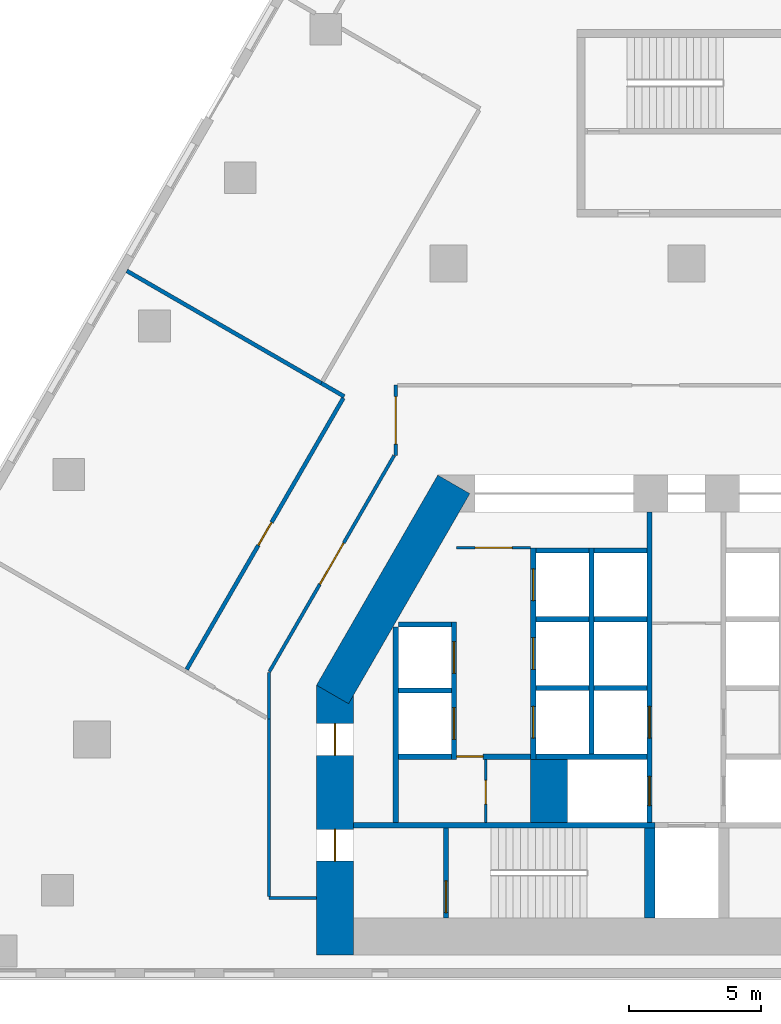
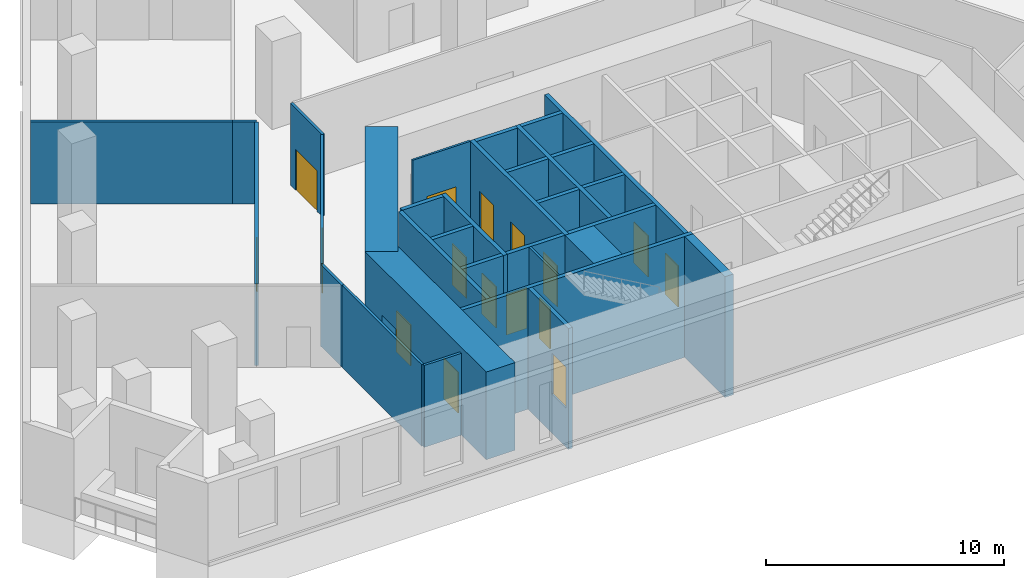
# One storey, part 3 of 13: 32 walls, 16 doors, 16 openings.
"""IFC4 building model written with IfcOpenShell, lengths in metres."""

from ifc_helpers import new_model, si_unit, direction, frame, frame_2d, origin, place, context, subcontext, project, spatial, rectangle, extrude, material, layer, layer_set, type_object, element, fill, save


model = new_model("IFC4")

# Units and contexts
model_context = context("Model", 3, precision=1e-05, world=origin(), true_north=direction((0.0, 1.0)))
body_context = subcontext(model_context, "Body", "Model", "MODEL_VIEW")
ifc_project = project(units=[si_unit("LENGTHUNIT", "METRE"), si_unit("AREAUNIT", "SQUARE_METRE"), si_unit("VOLUMEUNIT", "CUBIC_METRE"), si_unit("PLANEANGLEUNIT", "RADIAN"), si_unit("MASSUNIT", "GRAM", prefix="KILO")], contexts=[model_context])

# Site, building, storey
site_placement = place(None, origin())
site = spatial("IfcSite", under=ifc_project, at=site_placement, CompositionType="ELEMENT")
building_placement = place(site_placement, origin())
building = spatial("IfcBuilding", under=site, at=building_placement, Name="Fogline Exchange Tower", CompositionType="ELEMENT")
storey_placement = place(building_placement, frame((0.0, 0.0, 25.0)))
storey = spatial("IfcBuildingStorey", under=building, at=storey_placement, Name="L04", CompositionType="ELEMENT", Elevation=25.0)

# Wall, opening, door
ifc_material_1 = material(Name="Blockwork partition", Category="masonry")
ifc_layer_1 = layer(ifc_material_1, 0.10009765625)
ifc_layer_set_1 = layer_set([ifc_layer_1], Name="CW10")
wall_type_1 = type_object("IfcWallType", Name="CW10", PredefinedType="PARTITIONING", material=ifc_layer_set_1)
wall_1_placement = place(storey_placement, frame((-8.699951171875, 16.25, 0.0), z_axis=(0.0, 0.0, 1.0), x_axis=(1.0, 0.0, 0.0)))
wall_1 = element("IfcWall", 1, at=wall_1_placement, inside=storey, type_object=wall_type_1, Name="Lift lobby partition", PredefinedType="PARTITIONING", context=body_context, shape_type="SweptSolid", body=[
    extrude(rectangle(XDim=2.800048828125, YDim=0.10009765625, at=frame_2d((1.39990234375, 0.0))), origin(), (0.0, 0.0, 1.0), 4.199951171875),
])
opening_1_placement = place(wall_1_placement, frame((0.699951171875, 0.0, 0.0)))
opening_1 = element("IfcOpeningElement", 2, at=opening_1_placement, cuts=wall_1, Name="Opening T00-C007", PredefinedType="OPENING", context=body_context, shape_type="SweptSolid", body=[
    extrude(rectangle(XDim=1.39990234375, YDim=2.10009765625, at=frame_2d((0.699951171875, 1.050048828125))), frame((0.0, 0.06005859375, 0.0), z_axis=(0.0, -1.0, 0.0), x_axis=(1.0, 0.0, 0.0)), (0.0, 0.0, 1.0), 0.1201171875),
])
ifc_material_2 = material(Name="Steel and timber fire door", Category="steel")
door_type_1 = type_object("IfcDoorType", Name="D-LB1", OperationType="DOUBLE_DOOR_SINGLE_SWING", PredefinedType="DOOR", material=ifc_material_2)
door_1_placement = place(opening_1_placement, origin())
door_1 = element("IfcDoor", 3, at=door_1_placement, inside=storey, type_object=door_type_1, Name="Door to lift lobby", OperationType="DOUBLE_DOOR_SINGLE_SWING", OverallHeight=2.10009765625, OverallWidth=1.39990234375, PredefinedType="DOOR", context=body_context, shape_type="SweptSolid", body=[
    extrude(rectangle(XDim=1.39990234375, YDim=2.10009765625, at=frame_2d((0.699951171875, 1.050048828125))), frame((0.0, 0.02490234375, 0.0), z_axis=(0.0, -1.0, 0.0), x_axis=(1.0, 0.0, 0.0)), (0.0, 0.0, 1.0), 0.050048828125),
])
fill(opening_1, door_1)

wall_2_placement = place(storey_placement, frame((-7.60009765625, 5.85009765625, 0.0), z_axis=(0.0, 0.0, 1.0), x_axis=(0.0, 1.0, 0.0)))
wall_2 = element("IfcWall", 4, at=wall_2_placement, inside=storey, type_object=wall_type_1, Name="WC partition", PredefinedType="PARTITIONING", context=body_context, shape_type="SweptSolid", body=[
    extrude(rectangle(XDim=2.39990234375, YDim=0.10009765625, at=frame_2d((1.199951171875, 0.0))), origin(), (0.0, 0.0, 1.0), 4.199951171875),
])
opening_2_placement = place(wall_2_placement, frame((0.699951171875, 0.0, 0.0)))
opening_2 = element("IfcOpeningElement", 5, at=opening_2_placement, cuts=wall_2, Name="Opening T00-C009", PredefinedType="OPENING", context=body_context, shape_type="SweptSolid", body=[
    extrude(rectangle(XDim=0.89990234375, YDim=2.10009765625, at=frame_2d((0.449951171875, 1.050048828125))), frame((0.0, 0.06005859375, 0.0), z_axis=(0.0, -1.0, 0.0), x_axis=(1.0, 0.0, 0.0)), (0.0, 0.0, 1.0), 0.1201171875),
])
door_type_2 = type_object("IfcDoorType", Name="D-CS1", OperationType="SINGLE_SWING_RIGHT", PredefinedType="DOOR", material=ifc_material_2)
door_2_placement = place(opening_2_placement, frame((0.89990234375, 0.0, 0.0), z_axis=(0.0, 0.0, 1.0), x_axis=(-1.0, 0.0, 0.0)))
door_2 = element("IfcDoor", 6, at=door_2_placement, inside=storey, type_object=door_type_2, Name="Door to Cleaner's Store", OperationType="SINGLE_SWING_RIGHT", OverallHeight=2.10009765625, OverallWidth=0.89990234375, PredefinedType="DOOR", context=body_context, shape_type="SweptSolid", body=[
    extrude(rectangle(XDim=0.89990234375, YDim=2.10009765625, at=frame_2d((0.449951171875, 1.050048828125))), frame((0.0, 0.02490234375, 0.0), z_axis=(0.0, -1.0, 0.0), x_axis=(1.0, 0.0, 0.0)), (0.0, 0.0, 1.0), 0.050048828125),
])
fill(opening_2, door_2)

# Walls
ifc_material_3 = material(Name="Concrete C60", Category="concrete")
ifc_layer_2 = layer(ifc_material_3, 1.39990234375)
ifc_layer_set_2 = layer_set([ifc_layer_2], Name="CW140")
wall_type_2 = type_object("IfcWallType", Name="CW140", PredefinedType="SOLIDWALL", material=ifc_layer_set_2)
wall_3_placement = place(storey_placement, frame((-5.199951171875, 5.85009765625, -2.0), z_axis=(0.0, 0.0, 1.0), x_axis=(0.0, 1.0, 0.0)))
element("IfcWall", 7, at=wall_3_placement, inside=storey, type_object=wall_type_2, Name="Lift shaft block wall", PredefinedType="SOLIDWALL", context=body_context, shape_type="SweptSolid", body=[
    extrude(rectangle(XDim=2.39990234375, YDim=1.39990234375, at=frame_2d((1.199951171875, 0.0))), origin(), (0.0, 0.0, 1.0), 6.199951171875),
])
ifc_material_4 = material(Name="Concrete C40", Category="concrete")
ifc_layer_3 = layer(ifc_material_4, 0.199951171875)
ifc_layer_set_3 = layer_set([ifc_layer_3], Name="CW20")
wall_type_3 = type_object("IfcWallType", Name="CW20", PredefinedType="SOLIDWALL", material=ifc_layer_set_3)
wall_4_placement = place(storey_placement, frame((-11.0, 5.85009765625, 0.0), z_axis=(0.0, 0.0, 1.0), x_axis=(0.0, 1.0, 0.0)))
element("IfcWall", 8, at=wall_4_placement, inside=storey, type_object=wall_type_3, Name="Service room wall", PredefinedType="SOLIDWALL", context=body_context, shape_type="SweptSolid", body=[
    extrude(rectangle(XDim=7.39990234375, YDim=0.199951171875, at=frame_2d((3.699951171875, 0.0))), origin(), (0.0, 0.0, 1.0), 4.199951171875),
])

# Wall, opening, door
wall_5_placement = place(storey_placement, frame((-8.699951171875, 8.35009765625, 0.0), z_axis=(0.0, 0.0, 1.0), x_axis=(1.0, 0.0, 0.0)))
wall_5 = element("IfcWall", 9, at=wall_5_placement, inside=storey, type_object=wall_type_3, Name="WC wall", PredefinedType="SOLIDWALL", context=body_context, shape_type="SweptSolid", body=[
    extrude(rectangle(XDim=2.800048828125, YDim=0.199951171875, at=frame_2d((1.39990234375, 0.0))), origin(), (0.0, 0.0, 1.0), 4.199951171875),
])
opening_3_placement = place(wall_5_placement, origin())
opening_3 = element("IfcOpeningElement", 10, at=opening_3_placement, cuts=wall_5, Name="Opening T00-C008", PredefinedType="OPENING", context=body_context, shape_type="SweptSolid", body=[
    extrude(rectangle(XDim=1.0, YDim=2.10009765625, at=frame_2d((0.5, 1.050048828125))), frame((0.0, 0.10986328125, 0.0), z_axis=(0.0, -1.0, 0.0), x_axis=(1.0, 0.0, 0.0)), (0.0, 0.0, 1.0), 0.219970703125),
])
door_type_3 = type_object("IfcDoorType", Name="D-WC1", OperationType="SINGLE_SWING_LEFT", PredefinedType="DOOR", material=ifc_material_2)
door_3_placement = place(opening_3_placement, frame((1.0, 0.0, 0.0), z_axis=(0.0, 0.0, 1.0), x_axis=(-1.0, 0.0, 0.0)))
door_3 = element("IfcDoor", 11, at=door_3_placement, inside=storey, type_object=door_type_3, Name="Door to Men's WC", OperationType="SINGLE_SWING_LEFT", OverallHeight=2.10009765625, OverallWidth=1.0, PredefinedType="DOOR", context=body_context, shape_type="SweptSolid", body=[
    extrude(rectangle(XDim=1.0, YDim=2.10009765625, at=frame_2d((0.5, 1.050048828125))), frame((0.0, 0.02490234375, 0.0), z_axis=(0.0, -1.0, 0.0), x_axis=(1.0, 0.0, 0.0)), (0.0, 0.0, 1.0), 0.050048828125),
])
fill(opening_3, door_3)

# Wall
ifc_layer_4 = layer(ifc_material_4, 0.199951171875)
ifc_layer_set_4 = layer_set([ifc_layer_4], Name="CW20R")
wall_type_4 = type_object("IfcWallType", Name="CW20R", PredefinedType="SOLIDWALL", material=ifc_layer_set_4)
wall_6_placement = place(storey_placement, frame((-12.60009765625, 5.75, -2.0), z_axis=(0.0, 0.0, 1.0), x_axis=(1.0, 0.0, 0.0)))
element("IfcWall", 12, at=wall_6_placement, inside=storey, type_object=wall_type_4, Name="Stair enclosure wall", PredefinedType="SOLIDWALL", context=body_context, shape_type="SweptSolid", body=[
    extrude(rectangle(XDim=11.400146484375, YDim=0.199951171875, at=frame_2d((5.7001953125, 0.0))), origin(), (0.0, 0.0, 1.0), 6.199951171875),
])

# Wall, opening, door
wall_7_placement = place(storey_placement, frame((-9.10009765625, 2.25, -2.0), z_axis=(0.0, 0.0, 1.0), x_axis=(0.0, 1.0, 0.0)))
wall_7 = element("IfcWall", 13, at=wall_7_placement, inside=storey, type_object=wall_type_4, Name="Stair enclosure wall", PredefinedType="SOLIDWALL", context=body_context, shape_type="SweptSolid", body=[
    extrude(rectangle(XDim=3.39990234375, YDim=0.199951171875, at=frame_2d((1.699951171875, 0.0))), origin(), (0.0, 0.0, 1.0), 6.199951171875),
])
opening_4_placement = place(wall_7_placement, frame((0.199951171875, 0.0, 2.0)))
opening_4 = element("IfcOpeningElement", 14, at=opening_4_placement, cuts=wall_7, Name="Opening T00-C011", PredefinedType="OPENING", context=body_context, shape_type="SweptSolid", body=[
    extrude(rectangle(XDim=1.199951171875, YDim=2.10009765625, at=frame_2d((0.60009765625, 1.050048828125))), frame((0.0, 0.10986328125, 0.0), z_axis=(0.0, -1.0, 0.0), x_axis=(1.0, 0.0, 0.0)), (0.0, 0.0, 1.0), 0.219970703125),
])
door_type_4 = type_object("IfcDoorType", Name="D-ST1", OperationType="SINGLE_SWING_LEFT", PredefinedType="DOOR", material=ifc_material_2)
door_4_placement = place(opening_4_placement, frame((1.199951171875, 0.0, 0.0), z_axis=(0.0, 0.0, 1.0), x_axis=(-1.0, 0.0, 0.0)))
door_4 = element("IfcDoor", 15, at=door_4_placement, inside=storey, type_object=door_type_4, Name="Stair door ST1", OperationType="SINGLE_SWING_RIGHT", OverallHeight=2.10009765625, OverallWidth=1.199951171875, PredefinedType="DOOR", context=body_context, shape_type="SweptSolid", body=[
    extrude(rectangle(XDim=1.199951171875, YDim=2.10009765625, at=frame_2d((0.60009765625, 1.050048828125))), frame((0.0, 0.02490234375, 0.0), z_axis=(0.0, -1.0, 0.0), x_axis=(1.0, 0.0, 0.0)), (0.0, 0.0, 1.0), 0.050048828125),
])
fill(opening_4, door_4)

# Wall, openings, doors
ifc_layer_5 = layer(ifc_material_4, 0.199951171875)
ifc_layer_set_5 = layer_set([ifc_layer_5], Name="CW20S")
wall_type_5 = type_object("IfcWallType", Name="CW20S", PredefinedType="SOLIDWALL", material=ifc_layer_set_5)
wall_8_placement = place(storey_placement, frame((-8.800048828125, 8.25, -2.0), z_axis=(0.0, 0.0, 1.0), x_axis=(0.0, 1.0, 0.0)))
wall_8 = element("IfcWall", 16, at=wall_8_placement, inside=storey, type_object=wall_type_5, Name="Lift shaft wall", PredefinedType="SOLIDWALL", context=body_context, shape_type="SweptSolid", body=[
    extrude(rectangle(XDim=5.199951171875, YDim=0.199951171875, at=frame_2d((2.60009765625, 0.0))), origin(), (0.0, 0.0, 1.0), 6.199951171875),
])
opening_5_placement = place(wall_8_placement, frame((0.75, 0.0, 2.0)))
opening_5 = element("IfcOpeningElement", 17, at=opening_5_placement, cuts=wall_8, Name="Opening T00-LD01", PredefinedType="OPENING", context=body_context, shape_type="SweptSolid", body=[
    extrude(rectangle(XDim=1.199951171875, YDim=2.10009765625, at=frame_2d((0.60009765625, 1.050048828125))), frame((0.0, 0.10986328125, 0.0), z_axis=(0.0, -1.0, 0.0), x_axis=(1.0, 0.0, 0.0)), (0.0, 0.0, 1.0), 0.219970703125),
])
opening_6_placement = place(wall_8_placement, frame((3.25, 0.0, 2.0)))
opening_6 = element("IfcOpeningElement", 18, at=opening_6_placement, cuts=wall_8, Name="Opening T00-LD02", PredefinedType="OPENING", context=body_context, shape_type="SweptSolid", body=[
    extrude(rectangle(XDim=1.199951171875, YDim=2.10009765625, at=frame_2d((0.60009765625, 1.050048828125))), frame((0.0, 0.10986328125, 0.0), z_axis=(0.0, -1.0, 0.0), x_axis=(1.0, 0.0, 0.0)), (0.0, 0.0, 1.0), 0.219970703125),
])
door_type_5 = type_object("IfcDoorType", Name="LD1", OperationType="SLIDING_TO_LEFT", PredefinedType="DOOR", material=ifc_material_2)
door_5_placement = place(opening_5_placement, origin())
door_5 = element("IfcDoor", 19, at=door_5_placement, inside=storey, type_object=door_type_5, Name="Landing door LR1", OperationType="SLIDING_TO_LEFT", OverallHeight=2.10009765625, OverallWidth=1.199951171875, PredefinedType="DOOR", context=body_context, shape_type="SweptSolid", body=[
    extrude(rectangle(XDim=1.199951171875, YDim=2.10009765625, at=frame_2d((0.60009765625, 1.050048828125))), frame((0.0, 0.02490234375, 0.0), z_axis=(0.0, -1.0, 0.0), x_axis=(1.0, 0.0, 0.0)), (0.0, 0.0, 1.0), 0.050048828125),
])
fill(opening_5, door_5)
door_6_placement = place(opening_6_placement, origin())
door_6 = element("IfcDoor", 20, at=door_6_placement, inside=storey, type_object=door_type_5, Name="Landing door LR2", OperationType="SLIDING_TO_LEFT", OverallHeight=2.10009765625, OverallWidth=1.199951171875, PredefinedType="DOOR", context=body_context, shape_type="SweptSolid", body=[
    extrude(rectangle(XDim=1.199951171875, YDim=2.10009765625, at=frame_2d((0.60009765625, 1.050048828125))), frame((0.0, 0.02490234375, 0.0), z_axis=(0.0, -1.0, 0.0), x_axis=(1.0, 0.0, 0.0)), (0.0, 0.0, 1.0), 0.050048828125),
])
fill(opening_6, door_6)

wall_9_placement = place(storey_placement, frame((-5.800048828125, 8.25, -2.0), z_axis=(0.0, 0.0, 1.0), x_axis=(0.0, 1.0, 0.0)))
wall_9 = element("IfcWall", 21, at=wall_9_placement, inside=storey, type_object=wall_type_5, Name="Lift shaft wall", PredefinedType="SOLIDWALL", context=body_context, shape_type="SweptSolid", body=[
    extrude(rectangle(XDim=8.0, YDim=0.199951171875, at=frame_2d((4.0, 0.0))), origin(), (0.0, 0.0, 1.0), 6.199951171875),
])
opening_7_placement = place(wall_9_placement, frame((0.800048828125, 0.0, 2.0)))
opening_7 = element("IfcOpeningElement", 22, at=opening_7_placement, cuts=wall_9, Name="Opening T00-LD03", PredefinedType="OPENING", context=body_context, shape_type="SweptSolid", body=[
    extrude(rectangle(XDim=1.199951171875, YDim=2.10009765625, at=frame_2d((0.60009765625, 1.050048828125))), frame((0.0, 0.10986328125, 0.0), z_axis=(0.0, -1.0, 0.0), x_axis=(1.0, 0.0, 0.0)), (0.0, 0.0, 1.0), 0.219970703125),
])
opening_8_placement = place(wall_9_placement, frame((3.39990234375, 0.0, 2.0)))
opening_8 = element("IfcOpeningElement", 23, at=opening_8_placement, cuts=wall_9, Name="Opening T00-LD04", PredefinedType="OPENING", context=body_context, shape_type="SweptSolid", body=[
    extrude(rectangle(XDim=1.199951171875, YDim=2.10009765625, at=frame_2d((0.60009765625, 1.050048828125))), frame((0.0, 0.10986328125, 0.0), z_axis=(0.0, -1.0, 0.0), x_axis=(1.0, 0.0, 0.0)), (0.0, 0.0, 1.0), 0.219970703125),
])
opening_9_placement = place(wall_9_placement, frame((6.0, 0.0, 2.0)))
opening_9 = element("IfcOpeningElement", 24, at=opening_9_placement, cuts=wall_9, Name="Opening T00-LD05", PredefinedType="OPENING", context=body_context, shape_type="SweptSolid", body=[
    extrude(rectangle(XDim=1.199951171875, YDim=2.10009765625, at=frame_2d((0.60009765625, 1.050048828125))), frame((0.0, 0.10986328125, 0.0), z_axis=(0.0, -1.0, 0.0), x_axis=(1.0, 0.0, 0.0)), (0.0, 0.0, 1.0), 0.219970703125),
])
door_7_placement = place(opening_7_placement, origin())
door_7 = element("IfcDoor", 25, at=door_7_placement, inside=storey, type_object=door_type_5, Name="Landing door LR3", OperationType="SLIDING_TO_LEFT", OverallHeight=2.10009765625, OverallWidth=1.199951171875, PredefinedType="DOOR", context=body_context, shape_type="SweptSolid", body=[
    extrude(rectangle(XDim=1.199951171875, YDim=2.10009765625, at=frame_2d((0.60009765625, 1.050048828125))), frame((0.0, 0.02490234375, 0.0), z_axis=(0.0, -1.0, 0.0), x_axis=(1.0, 0.0, 0.0)), (0.0, 0.0, 1.0), 0.050048828125),
])
fill(opening_7, door_7)
door_8_placement = place(opening_8_placement, origin())
door_8 = element("IfcDoor", 26, at=door_8_placement, inside=storey, type_object=door_type_5, Name="Landing door LR4", OperationType="SLIDING_TO_LEFT", OverallHeight=2.10009765625, OverallWidth=1.199951171875, PredefinedType="DOOR", context=body_context, shape_type="SweptSolid", body=[
    extrude(rectangle(XDim=1.199951171875, YDim=2.10009765625, at=frame_2d((0.60009765625, 1.050048828125))), frame((0.0, 0.02490234375, 0.0), z_axis=(0.0, -1.0, 0.0), x_axis=(1.0, 0.0, 0.0)), (0.0, 0.0, 1.0), 0.050048828125),
])
fill(opening_8, door_8)
door_9_placement = place(opening_9_placement, origin())
door_9 = element("IfcDoor", 27, at=door_9_placement, inside=storey, type_object=door_type_5, Name="Landing door LR5", OperationType="SLIDING_TO_LEFT", OverallHeight=2.10009765625, OverallWidth=1.199951171875, PredefinedType="DOOR", context=body_context, shape_type="SweptSolid", body=[
    extrude(rectangle(XDim=1.199951171875, YDim=2.10009765625, at=frame_2d((0.60009765625, 1.050048828125))), frame((0.0, 0.02490234375, 0.0), z_axis=(0.0, -1.0, 0.0), x_axis=(1.0, 0.0, 0.0)), (0.0, 0.0, 1.0), 0.050048828125),
])
fill(opening_9, door_9)

# Wall
wall_10_placement = place(storey_placement, frame((-3.60009765625, 8.449951171875, -2.0), z_axis=(0.0, 0.0, 1.0), x_axis=(0.0, 1.0, 0.0)))
element("IfcWall", 28, at=wall_10_placement, inside=storey, type_object=wall_type_5, Name="Lift shaft wall", PredefinedType="SOLIDWALL", context=body_context, shape_type="SweptSolid", body=[
    extrude(rectangle(XDim=7.800048828125, YDim=0.199951171875, at=frame_2d((3.89990234375, 0.0))), origin(), (0.0, 0.0, 1.0), 6.199951171875),
])

# Wall, openings, doors
wall_11_placement = place(storey_placement, frame((-1.39990234375, 5.85009765625, -2.0), z_axis=(0.0, 0.0, 1.0), x_axis=(0.0, 1.0, 0.0)))
wall_11 = element("IfcWall", 29, at=wall_11_placement, inside=storey, type_object=wall_type_5, Name="Lift lobby wall", PredefinedType="SOLIDWALL", context=body_context, shape_type="SweptSolid", body=[
    extrude(rectangle(XDim=11.75, YDim=0.199951171875, at=frame_2d((5.875, 0.0))), origin(), (0.0, 0.0, 1.0), 6.199951171875),
])
opening_10_placement = place(wall_11_placement, frame((3.199951171875, 0.0, 2.0)))
opening_10 = element("IfcOpeningElement", 30, at=opening_10_placement, cuts=wall_11, Name="Opening T00-LD06", PredefinedType="OPENING", context=body_context, shape_type="SweptSolid", body=[
    extrude(rectangle(XDim=1.199951171875, YDim=2.10009765625, at=frame_2d((0.60009765625, 1.050048828125))), frame((0.0, 0.10986328125, 0.0), z_axis=(0.0, -1.0, 0.0), x_axis=(1.0, 0.0, 0.0)), (0.0, 0.0, 1.0), 0.219970703125),
])
opening_11_placement = place(wall_11_placement, frame((0.64990234375, 0.0, 2.0)))
opening_11 = element("IfcOpeningElement", 31, at=opening_11_placement, cuts=wall_11, Name="Opening T00-LD07", PredefinedType="OPENING", context=body_context, shape_type="SweptSolid", body=[
    extrude(rectangle(XDim=1.10009765625, YDim=2.10009765625, at=frame_2d((0.550048828125, 1.050048828125))), frame((0.0, 0.10986328125, 0.0), z_axis=(0.0, -1.0, 0.0), x_axis=(1.0, 0.0, 0.0)), (0.0, 0.0, 1.0), 0.219970703125),
])
door_10_placement = place(opening_10_placement, origin())
door_10 = element("IfcDoor", 32, at=door_10_placement, inside=storey, type_object=door_type_5, Name="Landing door LR6", OperationType="SLIDING_TO_LEFT", OverallHeight=2.10009765625, OverallWidth=1.199951171875, PredefinedType="DOOR", context=body_context, shape_type="SweptSolid", body=[
    extrude(rectangle(XDim=1.199951171875, YDim=2.10009765625, at=frame_2d((0.60009765625, 1.050048828125))), frame((0.0, 0.02490234375, 0.0), z_axis=(0.0, -1.0, 0.0), x_axis=(1.0, 0.0, 0.0)), (0.0, 0.0, 1.0), 0.050048828125),
])
fill(opening_10, door_10)
door_type_6 = type_object("IfcDoorType", Name="LD2", OperationType="SLIDING_TO_RIGHT", PredefinedType="DOOR", material=ifc_material_2)
door_11_placement = place(opening_11_placement, origin())
door_11 = element("IfcDoor", 33, at=door_11_placement, inside=storey, type_object=door_type_6, Name="Landing door FF1", OperationType="SLIDING_TO_RIGHT", OverallHeight=2.10009765625, OverallWidth=1.10009765625, PredefinedType="DOOR", context=body_context, shape_type="SweptSolid", body=[
    extrude(rectangle(XDim=1.10009765625, YDim=2.10009765625, at=frame_2d((0.550048828125, 1.050048828125))), frame((0.0, 0.02490234375, 0.0), z_axis=(0.0, -1.0, 0.0), x_axis=(1.0, 0.0, 0.0)), (0.0, 0.0, 1.0), 0.050048828125),
])
fill(opening_11, door_11)

# Walls
wall_12_placement = place(storey_placement, frame((-10.89990234375, 8.35009765625, -2.0), z_axis=(0.0, 0.0, 1.0), x_axis=(1.0, 0.0, 0.0)))
element("IfcWall", 34, at=wall_12_placement, inside=storey, type_object=wall_type_5, Name="Lift shaft wall", PredefinedType="SOLIDWALL", context=body_context, shape_type="SweptSolid", body=[
    extrude(rectangle(XDim=2.0, YDim=0.199951171875, at=frame_2d((1.0, 0.0))), origin(), (0.0, 0.0, 1.0), 6.199951171875),
])
wall_13_placement = place(storey_placement, frame((-5.699951171875, 8.35009765625, -2.0), z_axis=(0.0, 0.0, 1.0), x_axis=(1.0, 0.0, 0.0)))
element("IfcWall", 35, at=wall_13_placement, inside=storey, type_object=wall_type_5, Name="Lift shaft wall", PredefinedType="SOLIDWALL", context=body_context, shape_type="SweptSolid", body=[
    extrude(rectangle(XDim=4.199951171875, YDim=0.199951171875, at=frame_2d((2.10009765625, 0.0))), origin(), (0.0, 0.0, 1.0), 6.199951171875),
])
for number, where, z_axis, x_axis, name in (
    (36, (-10.89990234375, 10.85009765625, -2.0), (0.0, 0.0, 1.0), (1.0, 0.0, 0.0), "Lift shaft wall"),
    (37, (-10.89990234375, 13.35009765625, -2.0), (0.0, 0.0, 1.0), (1.0, 0.0, 0.0), "Lift shaft wall"),
    (38, (-5.699951171875, 10.949951171875, -2.0), (0.0, 0.0, 1.0), (1.0, 0.0, 0.0), "Lift shaft wall"),
    (39, (-5.699951171875, 13.550048828125, -2.0), (0.0, 0.0, 1.0), (1.0, 0.0, 0.0), "Lift shaft wall"),
    (40, (-5.699951171875, 16.14990234375, -2.0), (0.0, 0.0, 1.0), (1.0, 0.0, 0.0), "Lift shaft wall"),
    (41, (-3.5, 10.949951171875, -2.0), (0.0, 0.0, 1.0), (1.0, 0.0, 0.0), "Lift shaft wall"),
    (42, (-3.5, 13.550048828125, -2.0), (0.0, 0.0, 1.0), (1.0, 0.0, 0.0), "Lift shaft wall"),
    (43, (-3.5, 16.14990234375, -2.0), (0.0, 0.0, 1.0), (1.0, 0.0, 0.0), "Lift shaft wall"),
):
    element("IfcWall", number, at=place(storey_placement, frame(where, z_axis=z_axis, x_axis=x_axis)), inside=storey, type_object=wall_type_5, Name=name, PredefinedType="SOLIDWALL", context=body_context, shape_type="SweptSolid", body=[
        extrude(rectangle(XDim=2.0, YDim=0.199951171875, at=frame_2d((1.0, 0.0))), origin(), (0.0, 0.0, 1.0), 6.199951171875),
    ])
ifc_layer_6 = layer(ifc_material_4, 0.39990234375)
ifc_layer_set_6 = layer_set([ifc_layer_6], Name="CW40R")
wall_type_6 = type_object("IfcWallType", Name="CW40R", PredefinedType="SOLIDWALL", material=ifc_layer_set_6)
wall_14_placement = place(storey_placement, frame((-1.39990234375, 2.25, -2.0), z_axis=(0.0, 0.0, 1.0), x_axis=(0.0, 1.0, 0.0)))
element("IfcWall", 44, at=wall_14_placement, inside=storey, type_object=wall_type_6, Name="Stair and lift shaft wall", PredefinedType="SOLIDWALL", context=body_context, shape_type="SweptSolid", body=[
    extrude(rectangle(XDim=3.39990234375, YDim=0.39990234375, at=frame_2d((1.699951171875, 0.0))), origin(), (0.0, 0.0, 1.0), 6.199951171875),
])

# Wall, opening, door
ifc_material_5 = material(Name="Plasterboard corridor partition with mineral wool, 2 layers each side")
ifc_layer_7 = layer(ifc_material_5, 0.125)
ifc_layer_set_7 = layer_set([ifc_layer_7], Name="PW2")
wall_type_7 = type_object("IfcWallType", Name="PW2", PredefinedType="PARTITIONING", material=ifc_layer_set_7)
wall_15_placement = place(storey_placement, frame((-11.0, 19.739990234375, 0.0), z_axis=(0.0, 0.0, 1.0), x_axis=(0.0, 1.0, 0.0)))
wall_15 = element("IfcWall", 45, at=wall_15_placement, inside=storey, type_object=wall_type_7, Name="wall-L04-W005", PredefinedType="PARTITIONING", context=body_context, shape_type="SweptSolid", body=[
    extrude(rectangle(XDim=2.659912109375, YDim=0.125, at=frame_2d((1.330078125, 0.0))), origin(), (0.0, 0.0, 1.0), 4.199951171875),
])
opening_12_placement = place(wall_15_placement, frame((0.429931640625, 0.0, 0.0)))
opening_12 = element("IfcOpeningElement", 46, at=opening_12_placement, cuts=wall_15, Name="Opening T00-D002", PredefinedType="OPENING", context=body_context, shape_type="SweptSolid", body=[
    extrude(rectangle(XDim=1.800048828125, YDim=2.10009765625, at=frame_2d((0.89990234375, 1.050048828125))), frame((0.0, 0.072509765625, 0.0), z_axis=(0.0, -1.0, 0.0), x_axis=(1.0, 0.0, 0.0)), (0.0, 0.0, 1.0), 0.14501953125),
])
ifc_material_6 = material(Name="Fire-rated timber door leaves with steel frame", Category="steel")
door_type_7 = type_object("IfcDoorType", Name="D4", OperationType="DOUBLE_DOOR_SINGLE_SWING", PredefinedType="DOOR", material=ifc_material_6)
door_12_placement = place(opening_12_placement, frame((1.800048828125, 0.0, 0.0), z_axis=(0.0, 0.0, 1.0), x_axis=(-1.0, 0.0, 0.0)))
door_12 = element("IfcDoor", 47, at=door_12_placement, inside=storey, type_object=door_type_7, Name="door-L04-D002", OperationType="DOUBLE_DOOR_SINGLE_SWING", OverallHeight=2.10009765625, OverallWidth=1.800048828125, PredefinedType="DOOR", context=body_context, shape_type="SweptSolid", body=[
    extrude(rectangle(XDim=1.800048828125, YDim=2.10009765625, at=frame_2d((0.89990234375, 1.050048828125))), frame((0.0, 0.02490234375, 0.0), z_axis=(0.0, -1.0, 0.0), x_axis=(1.0, 0.0, 0.0)), (0.0, 0.0, 1.0), 0.050048828125),
])
fill(opening_12, door_12)

# Wall
wall_16_placement = place(storey_placement, frame((-15.800048828125, 9.765869140625, 0.0), z_axis=(0.0, 0.0, 1.0), x_axis=(0.0, 1.0, 0.0)))
element("IfcWall", 48, at=wall_16_placement, inside=storey, type_object=wall_type_7, Name="wall-L04-W009", PredefinedType="PARTITIONING", context=body_context, shape_type="SweptSolid", body=[
    extrude(rectangle(XDim=1.76904296875, YDim=0.125, at=frame_2d((0.884521484375, 0.0))), origin(), (0.0, 0.0, 1.0), 4.199951171875),
])

# Wall, opening, door
wall_17_placement = place(storey_placement, frame((-15.784423828125, 11.56201171875, 0.0), z_axis=(0.0, 0.0, 1.0), x_axis=(0.500006656899, 0.866021560388, 0.0)))
wall_17 = element("IfcWall", 49, at=wall_17_placement, inside=storey, type_object=wall_type_7, Name="wall-L04-W010", PredefinedType="PARTITIONING", context=body_context, shape_type="SweptSolid", body=[
    extrude(rectangle(XDim=9.443603515625, YDim=0.125, at=frame_2d((4.7216796875, 0.0))), origin(), (0.0, 0.0, 1.0), 4.199951171875),
])
opening_13_placement = place(wall_17_placement, frame((3.822021484375, 0.0, 0.0)))
opening_13 = element("IfcOpeningElement", 50, at=opening_13_placement, cuts=wall_17, Name="Opening T00-D005", PredefinedType="OPENING", context=body_context, shape_type="SweptSolid", body=[
    extrude(rectangle(XDim=1.800048828125, YDim=2.10009765625, at=frame_2d((0.89990234375, 1.050048828125))), frame((0.0, 0.072509765625, 0.0), z_axis=(0.0, -1.0, 0.0), x_axis=(1.0, 0.0, 0.0)), (0.0, 0.0, 1.0), 0.14501953125),
])
door_13_placement = place(opening_13_placement, frame((1.800048828125, 0.0, 0.0), z_axis=(0.0, 0.0, 1.0), x_axis=(-1.0, 0.0, 0.0)))
door_13 = element("IfcDoor", 51, at=door_13_placement, inside=storey, type_object=door_type_7, Name="door-L04-D005", OperationType="DOUBLE_DOOR_SINGLE_SWING", OverallHeight=2.10009765625, OverallWidth=1.800048828125, PredefinedType="DOOR", context=body_context, shape_type="SweptSolid", body=[
    extrude(rectangle(XDim=1.800048828125, YDim=2.10009765625, at=frame_2d((0.89990234375, 1.050048828125))), frame((0.0, 0.02490234375, 0.0), z_axis=(0.0, -1.0, 0.0), x_axis=(1.0, 0.0, 0.0)), (0.0, 0.0, 1.0), 0.050048828125),
])
fill(opening_13, door_13)

# Walls
wall_18_placement = place(storey_placement, frame((-14.0, 3.0, 0.0), z_axis=(0.0, 0.0, 1.0), x_axis=(-1.0, 0.0, 0.0)))
element("IfcWall", 52, at=wall_18_placement, inside=storey, type_object=wall_type_7, Name="wall-L04-W011", PredefinedType="PARTITIONING", context=body_context, shape_type="SweptSolid", body=[
    extrude(rectangle(XDim=1.800048828125, YDim=0.125, at=frame_2d((0.89990234375, 0.0))), origin(), (0.0, 0.0, 1.0), 4.199951171875),
])
wall_19_placement = place(storey_placement, frame((-15.800048828125, 3.0625, 0.0), z_axis=(0.0, 0.0, 1.0), x_axis=(0.0, 1.0, 0.0)))
element("IfcWall", 53, at=wall_19_placement, inside=storey, type_object=wall_type_7, Name="wall-L04-W012", PredefinedType="PARTITIONING", context=body_context, shape_type="SweptSolid", body=[
    extrude(rectangle(XDim=6.703369140625, YDim=0.125, at=frame_2d((3.3515625, 0.0))), origin(), (0.0, 0.0, 1.0), 4.199951171875),
])

# Wall, opening, door
ifc_material_7 = material(Name="Plasterboard demising partition with mineral wool and acoustic board")
ifc_layer_8 = layer(ifc_material_7, 0.14990234375)
ifc_layer_set_8 = layer_set([ifc_layer_8], Name="PW3")
wall_type_8 = type_object("IfcWallType", Name="PW3", PredefinedType="PARTITIONING", material=ifc_layer_set_8)
wall_20_placement = place(storey_placement, frame((-18.912109375, 11.6494140625, 0.0), z_axis=(0.0, 0.0, 1.0), x_axis=(0.500010179592, 0.866019526514, 0.0)))
wall_20 = element("IfcWall", 54, at=wall_20_placement, inside=storey, type_object=wall_type_8, Name="wall-L04-W033", PredefinedType="PARTITIONING", context=body_context, shape_type="SweptSolid", body=[
    extrude(rectangle(XDim=11.849853515625, YDim=0.14990234375, at=frame_2d((5.9248046875, 0.0))), origin(), (0.0, 0.0, 1.0), 4.199951171875),
])
opening_14_placement = place(wall_20_placement, frame((5.425048828125, 0.0, 0.0)))
opening_14 = element("IfcOpeningElement", 55, at=opening_14_placement, cuts=wall_20, Name="Opening T00-D012", PredefinedType="OPENING", context=body_context, shape_type="SweptSolid", body=[
    extrude(rectangle(XDim=1.0, YDim=2.10009765625, at=frame_2d((0.5, 1.050048828125))), frame((0.0, 0.0849609375, 0.0), z_axis=(0.0, -1.0, 0.0), x_axis=(1.0, 0.0, 0.0)), (0.0, 0.0, 1.0), 0.169921875),
])
ifc_material_8 = material(Name="Fire-rated timber door leaf with steel frame", Category="steel")
door_type_8 = type_object("IfcDoorType", Name="D3", OperationType="SINGLE_SWING_LEFT", PredefinedType="DOOR", material=ifc_material_8)
door_14_placement = place(opening_14_placement, origin())
door_14 = element("IfcDoor", 56, at=door_14_placement, inside=storey, type_object=door_type_8, Name="door-L04-D012", OperationType="SINGLE_SWING_LEFT", OverallHeight=2.10009765625, OverallWidth=1.0, PredefinedType="DOOR", context=body_context, shape_type="SweptSolid", body=[
    extrude(rectangle(XDim=1.0, YDim=2.10009765625, at=frame_2d((0.5, 1.050048828125))), frame((0.0, 0.02490234375, 0.0), z_axis=(0.0, -1.0, 0.0), x_axis=(1.0, 0.0, 0.0)), (0.0, 0.0, 1.0), 0.050048828125),
])
fill(opening_14, door_14)

# Walls
wall_21_placement = place(storey_placement, frame((-12.94970703125, 21.9765625, 0.0), z_axis=(0.0, 0.0, 1.0), x_axis=(-0.866010750942, 0.50002537861, 0.0)))
element("IfcWall", 57, at=wall_21_placement, inside=storey, type_object=wall_type_8, Name="wall-L04-W034", PredefinedType="PARTITIONING", context=body_context, shape_type="SweptSolid", body=[
    extrude(rectangle(XDim=1.0, YDim=0.14990234375, at=frame_2d((0.5, 0.0))), origin(), (0.0, 0.0, 1.0), 4.199951171875),
])
wall_22_placement = place(storey_placement, frame((-13.815673828125, 22.4765625, 0.0), z_axis=(0.0, 0.0, 1.0), x_axis=(-0.866021522889, 0.500006721848, 0.0)))
element("IfcWall", 58, at=wall_22_placement, inside=storey, type_object=wall_type_8, Name="wall-L04-W043", PredefinedType="PARTITIONING", context=body_context, shape_type="SweptSolid", body=[
    extrude(rectangle(XDim=8.5, YDim=0.14990234375, at=frame_2d((4.25, 0.0))), origin(), (0.0, 0.0, 1.0), 4.199951171875),
])
ifc_layer_9 = layer(ifc_material_3, 1.39990234375)
ifc_layer_set_9 = layer_set([ifc_layer_9], Name="SW01")
wall_type_9 = type_object("IfcWallType", Name="SW01", PredefinedType="SHEAR", material=ifc_layer_set_9)
wall_23_placement = place(storey_placement, frame((-8.805419921875, 18.64990234375, 0.0), z_axis=(0.0, 0.0, 1.0), x_axis=(-0.50000187635, -0.866024320471, 0.0)))
element("IfcWall", 59, at=wall_23_placement, inside=storey, type_object=wall_type_9, Name="L04-W905", PredefinedType="SHEAR", context=body_context, shape_type="SweptSolid", body=[
    extrude(rectangle(XDim=9.1767578125, YDim=1.39990234375, at=frame_2d((4.58837890625, 0.0))), origin(), (0.0, 0.0, 1.0), 4.5),
])

# Wall, openings, doors
wall_24_placement = place(storey_placement, frame((-13.300048828125, 11.052490234375, 0.0), z_axis=(0.0, 0.0, 1.0), x_axis=(0.0, -1.0, 0.0)))
wall_24 = element("IfcWall", 60, at=wall_24_placement, inside=storey, type_object=wall_type_9, Name="L04-W906", PredefinedType="SHEAR", context=body_context, shape_type="SweptSolid", body=[
    extrude(rectangle(XDim=10.202392578125, YDim=1.39990234375, at=frame_2d((5.10107421875, 0.0))), origin(), (0.0, 0.0, 1.0), 4.5),
])
opening_15_placement = place(wall_24_placement, frame((5.45263671875, 0.0, 0.0)))
opening_15 = element("IfcOpeningElement", 61, at=opening_15_placement, cuts=wall_24, Name="Opening T00-C010", PredefinedType="OPENING", context=body_context, shape_type="SweptSolid", body=[
    extrude(rectangle(XDim=1.199951171875, YDim=2.10009765625, at=frame_2d((0.60009765625, 1.050048828125))), frame((0.0, 0.7099609375, 0.0), z_axis=(0.0, -1.0, 0.0), x_axis=(1.0, 0.0, 0.0)), (0.0, 0.0, 1.0), 1.419921875),
])
opening_16_placement = place(wall_24_placement, frame((1.45263671875, 0.0, 0.0)))
opening_16 = element("IfcOpeningElement", 62, at=opening_16_placement, cuts=wall_24, Name="Opening T00-C012", PredefinedType="OPENING", context=body_context, shape_type="SweptSolid", body=[
    extrude(rectangle(XDim=1.199951171875, YDim=2.10009765625, at=frame_2d((0.60009765625, 1.050048828125))), frame((0.0, 0.7099609375, 0.0), z_axis=(0.0, -1.0, 0.0), x_axis=(1.0, 0.0, 0.0)), (0.0, 0.0, 1.0), 1.419921875),
])
door_type_9 = type_object("IfcDoorType", Name="D-FR1", OperationType="SINGLE_SWING_RIGHT", PredefinedType="DOOR", material=ifc_material_2)
door_15_placement = place(opening_15_placement, origin())
door_15 = element("IfcDoor", 63, at=door_15_placement, inside=storey, type_object=door_type_9, Name="Front room door ST1", OperationType="SINGLE_SWING_LEFT", OverallHeight=2.10009765625, OverallWidth=1.199951171875, PredefinedType="DOOR", context=body_context, shape_type="SweptSolid", body=[
    extrude(rectangle(XDim=1.199951171875, YDim=2.10009765625, at=frame_2d((0.60009765625, 1.050048828125))), frame((0.0, 0.02490234375, 0.0), z_axis=(0.0, -1.0, 0.0), x_axis=(1.0, 0.0, 0.0)), (0.0, 0.0, 1.0), 0.050048828125),
])
fill(opening_15, door_15)
door_type_10 = type_object("IfcDoorType", Name="D-SV1", OperationType="SINGLE_SWING_LEFT", PredefinedType="DOOR", material=ifc_material_2)
door_16_placement = place(opening_16_placement, origin())
door_16 = element("IfcDoor", 64, at=door_16_placement, inside=storey, type_object=door_type_10, Name="Service door W", OperationType="SINGLE_SWING_LEFT", OverallHeight=2.10009765625, OverallWidth=1.199951171875, PredefinedType="DOOR", context=body_context, shape_type="SweptSolid", body=[
    extrude(rectangle(XDim=1.199951171875, YDim=2.10009765625, at=frame_2d((0.60009765625, 1.050048828125))), frame((0.0, 0.02490234375, 0.0), z_axis=(0.0, -1.0, 0.0), x_axis=(1.0, 0.0, 0.0)), (0.0, 0.0, 1.0), 0.050048828125),
])
fill(opening_16, door_16)

save(model, "model.ifc")
